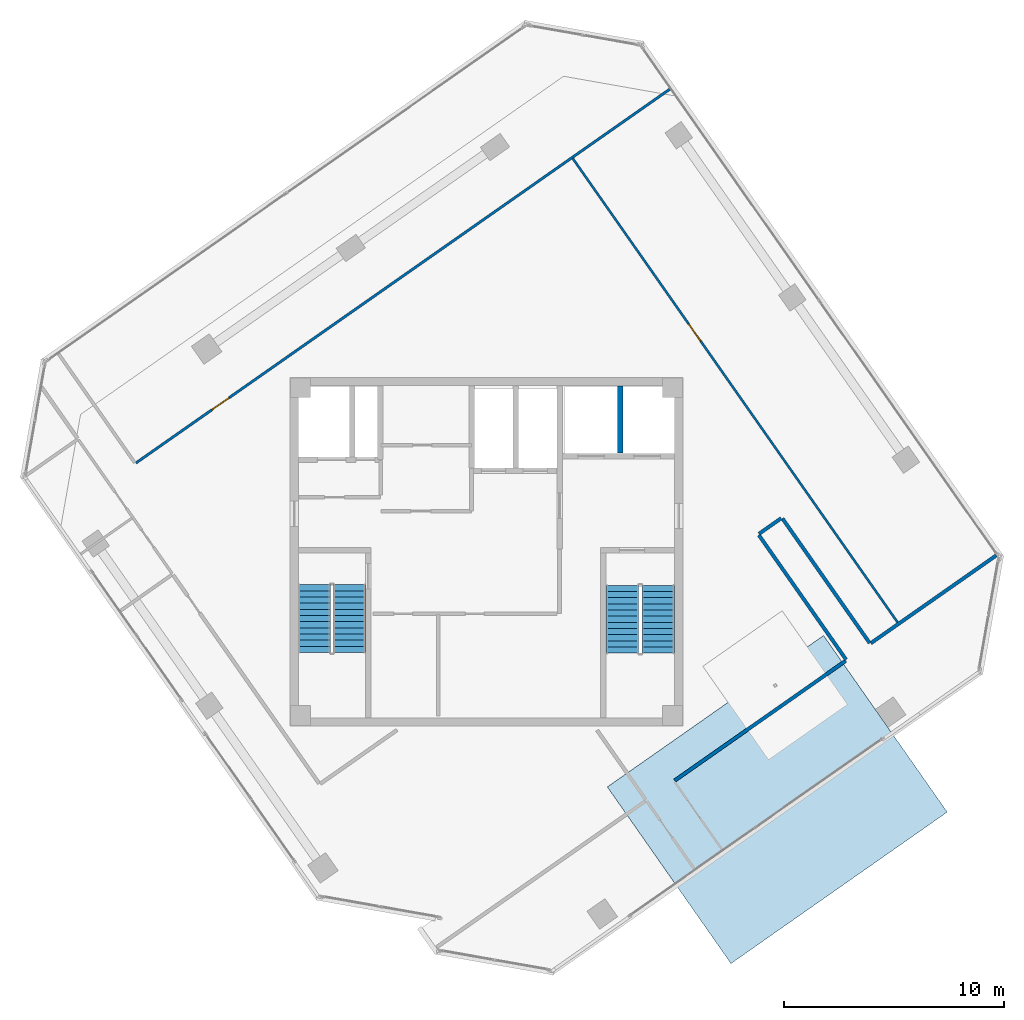
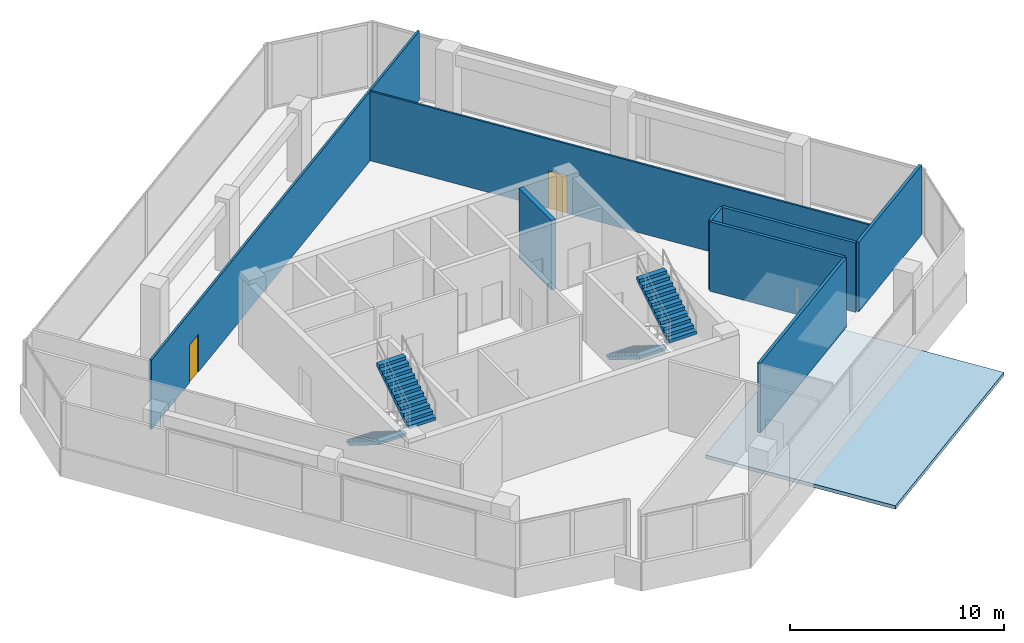
# One storey, part 13 of 17: 8 walls, 4 stair flights, 2 doors, 1 roof, 2 openings, 2 elements without a shape of their own.
"""IFC4 building model written with IfcOpenShell, lengths in metres."""

from ifc_helpers import new_model, si_unit, direction, frame, frame_2d, origin, place, context, subcontext, project, spatial, polyline, rectangle, outline, extrude, source, transform, mapped, material, layer, layer_set, type_object, element, fill, aggregate, save


model = new_model("IFC4")

# Units and contexts
model_context = context("Model", 3, precision=1e-05, world=origin(), true_north=direction((0.0, 1.0)))
body_context = subcontext(model_context, "Body", "Model", "MODEL_VIEW")
ifc_project = project(units=[si_unit("LENGTHUNIT", "METRE"), si_unit("AREAUNIT", "SQUARE_METRE"), si_unit("VOLUMEUNIT", "CUBIC_METRE"), si_unit("PLANEANGLEUNIT", "RADIAN"), si_unit("MASSUNIT", "GRAM", prefix="KILO")], contexts=[model_context])

# Site, building, storey
site_placement = place(None, origin())
site = spatial("IfcSite", under=ifc_project, at=site_placement, CompositionType="ELEMENT")
building_placement = place(site_placement, origin())
building = spatial("IfcBuilding", under=site, at=building_placement, Name="Torre Montelarca", CompositionType="ELEMENT")
storey_placement = place(building_placement, frame((0.0, 0.0, 298.800048828125)))
storey = spatial("IfcBuildingStorey", under=building, at=storey_placement, Name="L67", CompositionType="ELEMENT", Elevation=298.800048828125)

# Walls
ifc_material_1 = material(Name="Concrete C40/50", Category="concrete")
ifc_layer_1 = layer(ifc_material_1, 0.25, Name="Concrete C40/50", Category="concrete")
ifc_layer_set_1 = layer_set([ifc_layer_1], Name="Concrete C40/50")
wall_type_1 = type_object("IfcWallType", Name="CW-SHAFT-250", PredefinedType="SHEAR", material=ifc_layer_set_1)
wall_1_placement = place(storey_placement, frame((24.080078125, 36.47998046875, 0.0), z_axis=(0.0, 0.0, 1.0), x_axis=(0.0, 1.0, 0.0)))
element("IfcWall", 1, at=wall_1_placement, inside=storey, type_object=wall_type_1, Name="L67 Core Shear Wall SH-FF-M", PredefinedType="SHEAR", context=body_context, shape_type="SweptSolid", body=[
    extrude(rectangle(XDim=3.06005859375, YDim=0.25, at=frame_2d((1.530029296875, 0.0))), origin(), (0.0, 0.0, 1.0), 3.9599609375),
])
ifc_material_2 = material(Name="Gypsum plasterboard on steel stud", Category="steel")
ifc_layer_2 = layer(ifc_material_2, 0.159912109375, Name="Gypsum plasterboard on steel stud", Category="steel")
ifc_layer_set_2 = layer_set([ifc_layer_2], Name="Gypsum plasterboard on steel stud")
wall_type_2 = type_object("IfcWallType", Name="PW-FIRE-160", PredefinedType="PARTITIONING", material=ifc_layer_set_2)
wall_2_placement = place(storey_placement, frame((26.559326171875, 21.601318359375, 0.0), z_axis=(0.0, 0.0, 1.0), x_axis=(0.819143682501, 0.573588378036, 0.0)))
element("IfcWall", 2, at=wall_2_placement, inside=storey, type_object=wall_type_2, Name="L67 Interior Partition W-L67-ECN", PredefinedType="PARTITIONING", context=body_context, shape_type="SweptSolid", body=[
    extrude(rectangle(XDim=9.489990234375, YDim=0.159912109375, at=frame_2d((4.7451171875, 0.0))), origin(), (0.0, 0.0, 1.0), 3.9599609375),
])
wall_3_placement = place(storey_placement, frame((30.37939453125, 32.760498046875, 0.0), z_axis=(0.0, 0.0, 1.0), x_axis=(0.573609352737, -0.819128995002, 0.0)))
element("IfcWall", 3, at=wall_3_placement, inside=storey, type_object=wall_type_2, Name="L67 Interior Partition W-L67-ECNS1", PredefinedType="PARTITIONING", context=body_context, shape_type="SweptSolid", body=[
    extrude(rectangle(XDim=6.909912109375, YDim=0.159912109375, at=frame_2d((3.455078125, 0.0))), origin(), (0.0, 0.0, 1.0), 3.9599609375),
])
wall_4_placement = place(storey_placement, frame((30.389404296875, 32.81640625, 0.0), z_axis=(0.0, 0.0, 1.0), x_axis=(0.819129336916, 0.573608864475, 0.0)))
element("IfcWall", 4, at=wall_4_placement, inside=storey, type_object=wall_type_2, Name="L67 Interior Partition W-L67-ECNW1", PredefinedType="PARTITIONING", context=body_context, shape_type="SweptSolid", body=[
    extrude(rectangle(XDim=1.22998046875, YDim=0.159912109375, at=frame_2d((0.614990234375, 0.0))), origin(), (0.0, 0.0, 1.0), 3.9599609375),
])
wall_5_placement = place(storey_placement, frame((31.45263671875, 33.511962890625, 0.0), z_axis=(0.0, 0.0, 1.0), x_axis=(0.573585645457, -0.819145595927, 0.0)))
element("IfcWall", 5, at=wall_5_placement, inside=storey, type_object=wall_type_2, Name="L67 Interior Partition W-L67-ECNN1", PredefinedType="PARTITIONING", context=body_context, shape_type="SweptSolid", body=[
    extrude(rectangle(XDim=6.909912109375, YDim=0.159912109375, at=frame_2d((3.455078125, 0.0))), origin(), (0.0, 0.0, 1.0), 3.9599609375),
])
wall_6_placement = place(storey_placement, frame((35.4716796875, 27.841796875, 0.0), z_axis=(0.0, 0.0, 1.0), x_axis=(0.819151164872, 0.573577692287, 0.0)))
element("IfcWall", 6, at=wall_6_placement, inside=storey, type_object=wall_type_2, Name="L67 Interior Partition W-L67-ECN2", PredefinedType="PARTITIONING", context=body_context, shape_type="SweptSolid", body=[
    extrude(rectangle(XDim=6.960205078125, YDim=0.159912109375, at=frame_2d((3.47998046875, 0.0))), origin(), (0.0, 0.0, 1.0), 3.9599609375),
])

# Wall, opening, door
ifc_material_3 = material(Name="Acoustic laminated glass partition", Category="glass")
ifc_layer_3 = layer(ifc_material_3, 0.10009765625, Name="Acoustic laminated glass partition", Category="glass")
ifc_layer_set_3 = layer_set([ifc_layer_3], Name="Acoustic laminated glass partition")
wall_type_3 = type_object("IfcWallType", Name="PW-GLAZ-100", PredefinedType="PARTITIONING", material=ifc_layer_set_3)
wall_7_placement = place(storey_placement, frame((21.917724609375, 49.8837890625, 0.0), z_axis=(0.0, 0.0, 1.0), x_axis=(0.57358495776, -0.819146077468, 0.0)))
wall_7 = element("IfcWall", 7, at=wall_7_placement, inside=storey, type_object=wall_type_3, Name="L67 Interior Partition W-L67-NBOT", PredefinedType="PARTITIONING", context=body_context, shape_type="SweptSolid", body=[
    extrude(rectangle(XDim=25.7900390625, YDim=0.10009765625, at=frame_2d((12.89501953125, 0.0))), origin(), (0.0, 0.0, 1.0), 3.9599609375),
])
opening_1_placement = place(wall_7_placement, frame((9.199951171875, 0.0, 0.0)))
opening_1 = element("IfcOpeningElement", 8, at=opening_1_placement, cuts=wall_7, Name="Opening ID-095", PredefinedType="OPENING", context=body_context, shape_type="SweptSolid", body=[
    extrude(rectangle(XDim=0.949951171875, YDim=2.14990234375, at=frame_2d((0.47509765625, 1.074951171875))), frame((0.0, 0.06005859375, 0.0), z_axis=(0.0, -1.0, 0.0), x_axis=(1.0, 0.0, 0.0)), (0.0, 0.0, 1.0), 0.1201171875),
])
ifc_material_4 = material(Name="Hardwood acoustic timber veneer", Category="wood")
door_type = type_object("IfcDoorType", Name="DR-INT-095", OperationType="NOTDEFINED", PredefinedType="DOOR", material=ifc_material_4)
shared_shape = source(origin(), body_context, "Body", "SweptSolid", [
    extrude(rectangle(XDim=0.949951171875, YDim=2.14990234375, at=frame_2d((0.47509765625, 1.074951171875))), frame((0.0, 0.02490234375, 0.0), z_axis=(0.0, -1.0, 0.0), x_axis=(1.0, 0.0, 0.0)), (0.0, 0.0, 1.0), 0.050048828125),
])
door_1_placement = place(opening_1_placement, origin())
door_1 = element("IfcDoor", 9, at=door_1_placement, inside=storey, type_object=door_type, Name="L67 Interior Door 09", OperationType="SINGLE_SWING_LEFT", OverallHeight=2.14990234375, OverallWidth=0.949951171875, PredefinedType="DOOR", context=body_context, shape_type="MappedRepresentation", body=[
    mapped(shared_shape, transform((0.0, 0.0, 0.0), scale=1.0)),
])
fill(opening_1, door_1)

ifc_layer_4 = layer(ifc_material_2, 0.114990234375, Name="Gypsum plasterboard on steel stud", Category="steel")
ifc_layer_set_4 = layer_set([ifc_layer_4], Name="Gypsum plasterboard on steel stud")
wall_type_4 = type_object("IfcWallType", Name="PW-PART-115", PredefinedType="PARTITIONING", material=ifc_layer_set_4)
wall_8_placement = place(storey_placement, frame((2.0712890625, 36.0361328125, 0.0), z_axis=(0.0, 0.0, 1.0), x_axis=(0.819154854942, 0.573572422302, 0.0)))
wall_8 = element("IfcWall", 10, at=wall_8_placement, inside=storey, type_object=wall_type_4, Name="L67 Interior Partition W-L67-WWGE", PredefinedType="PARTITIONING", context=body_context, shape_type="SweptSolid", body=[
    extrude(rectangle(XDim=29.6201171875, YDim=0.114990234375, at=frame_2d((14.81005859375, 0.0))), origin(), (0.0, 0.0, 1.0), 3.9599609375),
])
opening_2_placement = place(wall_8_placement, frame((4.199951171875, 0.0, 0.0)))
opening_2 = element("IfcOpeningElement", 11, at=opening_2_placement, cuts=wall_8, Name="Opening ID-095", PredefinedType="OPENING", context=body_context, shape_type="SweptSolid", body=[
    extrude(rectangle(XDim=0.949951171875, YDim=2.14990234375, at=frame_2d((0.47509765625, 1.074951171875))), frame((0.0, 0.0673828125, 0.0), z_axis=(0.0, -1.0, 0.0), x_axis=(1.0, 0.0, 0.0)), (0.0, 0.0, 1.0), 0.135009765625),
])
door_2_placement = place(opening_2_placement, origin())
door_2 = element("IfcDoor", 12, at=door_2_placement, inside=storey, type_object=door_type, Name="L67 Interior Door 10", OperationType="SINGLE_SWING_LEFT", OverallHeight=2.14990234375, OverallWidth=0.949951171875, PredefinedType="DOOR", context=body_context, shape_type="MappedRepresentation", body=[
    mapped(shared_shape, transform((0.0, 0.0, 0.0), scale=1.0)),
])
fill(opening_2, door_2)

# Stair, stair flights
stair_type_1 = type_object("IfcStairType", Name="ST-CORE-ST1", PredefinedType="HALF_TURN_STAIR", material=ifc_material_1)
stair_1_placement = place(storey_placement, origin())
stair_1 = element("IfcStair", 13, at=stair_1_placement, inside=storey, type_object=stair_type_1, Name="L67 Protected Exit Stair ST1", PredefinedType="HALF_TURN_STAIR")
stair_flight_type_1 = type_object("IfcStairFlightType", Name="SFL-CORE-ST1", PredefinedType="STRAIGHT", material=ifc_material_1)
stair_flight_1_placement = place(storey_placement, frame((10.175048828125, 30.5, 0.0), z_axis=(0.0, 0.0, 1.0), x_axis=(0.0, -1.0, 0.0)))
stair_flight_1 = element("IfcStairFlight", 14, at=stair_flight_1_placement, type_object=stair_flight_type_1, Name="ST1 flight 1", NumberOfRisers=12, NumberOfTreads=11, PredefinedType="STRAIGHT", RiserHeight=0.175, TreadLength=0.28, context=body_context, shape_type="SweptSolid", body=[
    extrude(outline(polyline([(0.0, 0.0), (0.0, 0.175048828125), (0.280029296875, 0.175048828125), (0.280029296875, 0.35009765625), (0.56005859375, 0.35009765625), (0.56005859375, 0.52490234375), (0.840087890625, 0.52490234375), (0.840087890625, 0.699951171875), (1.1201171875, 0.699951171875), (1.1201171875, 0.875), (1.39990234375, 0.875), (1.39990234375, 1.050048828125), (1.679931640625, 1.050048828125), (1.679931640625, 1.22509765625), (1.9599609375, 1.22509765625), (1.9599609375, 1.39990234375), (2.239990234375, 1.39990234375), (2.239990234375, 1.574951171875), (2.52001953125, 1.574951171875), (2.52001953125, 1.75), (2.800048828125, 1.75), (2.800048828125, 1.925048828125), (3.080078125, 1.925048828125), (3.080078125, 2.10009765625), (3.080078125, 1.748291015625), (0.28271484375, 0.0), (0.0, 0.0)])), frame((0.0, 0.72509765625, 0.0), z_axis=(0.0, -1.0, 0.0), x_axis=(1.0, 0.0, 0.0)), (0.0, 0.0, 1.0), 1.449951171875),
])
stair_flight_2_placement = place(storey_placement, frame((11.77490234375, 27.419921875, 2.099853515625), z_axis=(0.0, 0.0, 1.0), x_axis=(0.0, 1.0, 0.0)))
stair_flight_2 = element("IfcStairFlight", 15, at=stair_flight_2_placement, type_object=stair_flight_type_1, Name="ST1 flight 2", NumberOfRisers=12, NumberOfTreads=11, PredefinedType="STRAIGHT", RiserHeight=0.175, TreadLength=0.28, context=body_context, shape_type="SweptSolid", body=[
    extrude(outline(polyline([(0.0, 0.0), (0.0, 0.175048828125), (0.280029296875, 0.175048828125), (0.280029296875, 0.35009765625), (0.56005859375, 0.35009765625), (0.56005859375, 0.52490234375), (0.840087890625, 0.52490234375), (0.840087890625, 0.699951171875), (1.1201171875, 0.699951171875), (1.1201171875, 0.875), (1.39990234375, 0.875), (1.39990234375, 1.050048828125), (1.679931640625, 1.050048828125), (1.679931640625, 1.22509765625), (1.9599609375, 1.22509765625), (1.9599609375, 1.39990234375), (2.239990234375, 1.39990234375), (2.239990234375, 1.574951171875), (2.52001953125, 1.574951171875), (2.52001953125, 1.75), (2.800048828125, 1.75), (2.800048828125, 1.925048828125), (3.080078125, 1.925048828125), (3.080078125, 2.10009765625), (3.080078125, 1.748291015625), (0.28271484375, 0.0), (0.0, 0.0)])), frame((0.0, 0.72509765625, 0.0), z_axis=(0.0, -1.0, 0.0), x_axis=(1.0, 0.0, 0.0)), (0.0, 0.0, 1.0), 1.449951171875),
])
aggregate(stair_1, [stair_flight_1, stair_flight_2])

stair_type_2 = type_object("IfcStairType", Name="ST-CORE-ST2", PredefinedType="HALF_TURN_STAIR", material=ifc_material_1)
stair_2_placement = place(storey_placement, origin())
stair_2 = element("IfcStair", 16, at=stair_2_placement, inside=storey, type_object=stair_type_2, Name="L67 Protected Exit Stair ST2", PredefinedType="HALF_TURN_STAIR")
stair_flight_type_2 = type_object("IfcStairFlightType", Name="SFL-CORE-ST2", PredefinedType="STRAIGHT", material=ifc_material_1)
stair_flight_3_placement = place(storey_placement, frame((24.179931640625, 30.469970703125, 0.0), z_axis=(0.0, 0.0, 1.0), x_axis=(0.0, -1.0, 0.0)))
stair_flight_3 = element("IfcStairFlight", 17, at=stair_flight_3_placement, type_object=stair_flight_type_2, Name="ST2 flight 1", NumberOfRisers=12, NumberOfTreads=11, PredefinedType="STRAIGHT", RiserHeight=0.175, TreadLength=0.28, context=body_context, shape_type="SweptSolid", body=[
    extrude(outline(polyline([(0.0, 0.0), (0.0, 0.175048828125), (0.280029296875, 0.175048828125), (0.280029296875, 0.35009765625), (0.56005859375, 0.35009765625), (0.56005859375, 0.52490234375), (0.840087890625, 0.52490234375), (0.840087890625, 0.699951171875), (1.1201171875, 0.699951171875), (1.1201171875, 0.875), (1.39990234375, 0.875), (1.39990234375, 1.050048828125), (1.679931640625, 1.050048828125), (1.679931640625, 1.22509765625), (1.9599609375, 1.22509765625), (1.9599609375, 1.39990234375), (2.239990234375, 1.39990234375), (2.239990234375, 1.574951171875), (2.52001953125, 1.574951171875), (2.52001953125, 1.75), (2.800048828125, 1.75), (2.800048828125, 1.925048828125), (3.080078125, 1.925048828125), (3.080078125, 2.10009765625), (3.080078125, 1.748291015625), (0.28271484375, 0.0), (0.0, 0.0)])), frame((0.0, 0.739990234375, 0.0), z_axis=(0.0, -1.0, 0.0), x_axis=(1.0, 0.0, 0.0)), (0.0, 0.0, 1.0), 1.47998046875),
])
stair_flight_4_placement = place(storey_placement, frame((25.81005859375, 27.389892578125, 2.099853515625), z_axis=(0.0, 0.0, 1.0), x_axis=(0.0, 1.0, 0.0)))
stair_flight_4 = element("IfcStairFlight", 18, at=stair_flight_4_placement, type_object=stair_flight_type_2, Name="ST2 flight 2", NumberOfRisers=12, NumberOfTreads=11, PredefinedType="STRAIGHT", RiserHeight=0.175, TreadLength=0.28, context=body_context, shape_type="SweptSolid", body=[
    extrude(outline(polyline([(0.0, 0.0), (0.0, 0.175048828125), (0.280029296875, 0.175048828125), (0.280029296875, 0.35009765625), (0.56005859375, 0.35009765625), (0.56005859375, 0.52490234375), (0.840087890625, 0.52490234375), (0.840087890625, 0.699951171875), (1.1201171875, 0.699951171875), (1.1201171875, 0.875), (1.39990234375, 0.875), (1.39990234375, 1.050048828125), (1.679931640625, 1.050048828125), (1.679931640625, 1.22509765625), (1.9599609375, 1.22509765625), (1.9599609375, 1.39990234375), (2.239990234375, 1.39990234375), (2.239990234375, 1.574951171875), (2.52001953125, 1.574951171875), (2.52001953125, 1.75), (2.800048828125, 1.75), (2.800048828125, 1.925048828125), (3.080078125, 1.925048828125), (3.080078125, 2.10009765625), (3.080078125, 1.748291015625), (0.28271484375, 0.0), (0.0, 0.0)])), frame((0.0, 0.739990234375, 0.0), z_axis=(0.0, -1.0, 0.0), x_axis=(1.0, 0.0, 0.0)), (0.0, 0.0, 1.0), 1.47998046875),
])
aggregate(stair_2, [stair_flight_3, stair_flight_4])

# Roof
ifc_material_5 = material(Name="Precast concrete C45/55", Category="concrete")
ifc_layer_5 = layer(ifc_material_5, 0.199951171875, Name="Precast concrete C45/55", Category="concrete")
ifc_layer_set_5 = layer_set([ifc_layer_5], Name="Precast concrete C45/55")
roof_type = type_object("IfcRoofType", Name="RF-CANOPY-200", PredefinedType="FLAT_ROOF", material=ifc_layer_set_5)
roof_placement = place(storey_placement, frame((0.0, 0.0, -0.239990234375)))
element("IfcRoof", 19, at=roof_placement, inside=storey, type_object=roof_type, Name="L66 Sky Terrace Shaded Terracotta Canopy", PredefinedType="FLAT_ROOF", context=body_context, shape_type="SweptSolid", body=[
    extrude(outline(polyline([(23.4921875, 21.309326171875), (29.11328125, 13.281494140625), (38.943115234375, 20.16455078125), (33.322021484375, 28.192138671875), (23.4921875, 21.309326171875)])), origin(), (0.0, 0.0, 1.0), 0.199951171875),
])

save(model, "model.ifc")
